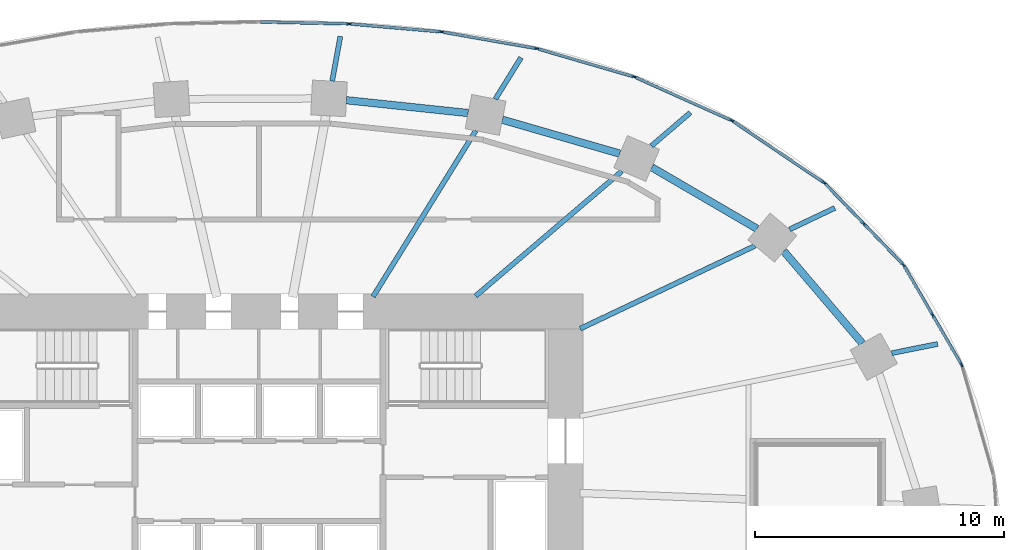
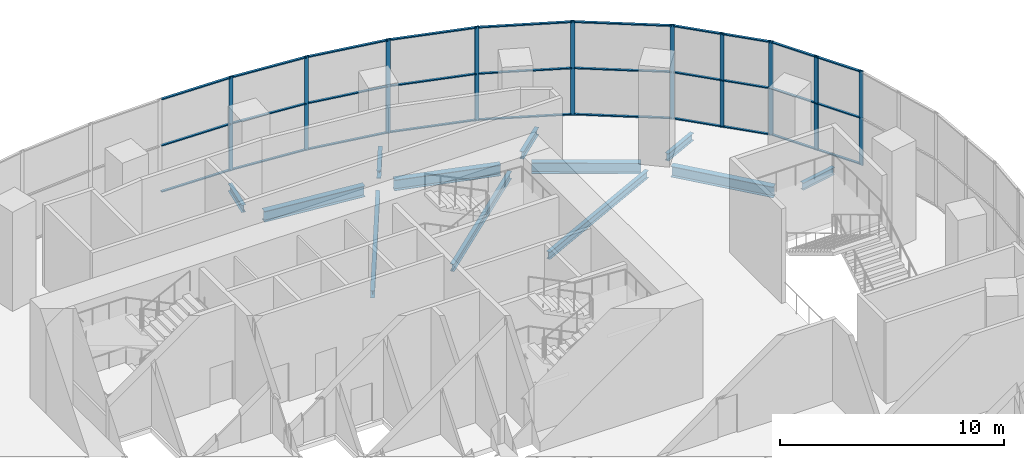
# One storey, part 8 of 20: 40 members, 12 beams, 8 elements without a shape of their own.
"""IFC4 building model written with IfcOpenShell, lengths in metres."""

from ifc_helpers import new_model, si_unit, direction, frame, origin, origin_2d, place, context, subcontext, project, spatial, rectangle, i_section, extrude, material, material_profile, profile_set, type_object, element, aggregate, save


model = new_model("IFC4")

# Units and contexts
model_context = context("Model", 3, precision=1e-05, world=origin(), true_north=direction((0.0, 1.0)))
body_context = subcontext(model_context, "Body", "Model", "MODEL_VIEW")
ifc_project = project(units=[si_unit("LENGTHUNIT", "METRE"), si_unit("AREAUNIT", "SQUARE_METRE"), si_unit("VOLUMEUNIT", "CUBIC_METRE"), si_unit("PLANEANGLEUNIT", "RADIAN"), si_unit("MASSUNIT", "GRAM", prefix="KILO")], contexts=[model_context])

# Site, building, storey
site_placement = place(None, origin())
site = spatial("IfcSite", under=ifc_project, at=site_placement, CompositionType="ELEMENT")
building_placement = place(site_placement, origin())
building = spatial("IfcBuilding", under=site, at=building_placement, Name="Rubra Terraces Tower", CompositionType="ELEMENT")
storey_placement = place(building_placement, frame((0.0, 0.0, 22.800048828125)))
storey = spatial("IfcBuildingStorey", under=building, at=storey_placement, Name="L03", CompositionType="ELEMENT", Elevation=22.800048828125)

# Beams
ifc_material_1 = material(Name="Steel Q355B", Category="steel")
ifc_material_profile_1 = material_profile(ifc_material_1, i_section(OverallWidth=0.199951171875, OverallDepth=0.39990234375, WebThickness=0.008056640625, FlangeThickness=0.012939453125, at=origin_2d()), Name="HN 400x200x8x13")
ifc_profile_set_1 = profile_set([ifc_material_profile_1], Name="Steel Q355B")
beam_type_1 = type_object("IfcBeamType", Name="CANTILEVER BEAM HN 400x200x8x13", PredefinedType="BEAM", material=ifc_profile_set_1)
beam_1_placement = place(storey_placement, frame((25.39599609375, 9.6279296875, -0.449951171875), z_axis=(0.980183746275, 0.198090442822, 0.0), x_axis=(-0.198090442822, 0.980183746275, 0.0)))
element("IfcBeam", 1, at=beam_1_placement, inside=storey, type_object=beam_type_1, Name="beam-L03-cant-02", PredefinedType="BEAM", context=body_context, shape_type="SweptSolid", body=[
    extrude(i_section(OverallWidth=0.199951171875, OverallDepth=0.39990234375, WebThickness=0.008056640625, FlangeThickness=0.012939453125, at=origin_2d()), origin(), (0.0, 0.0, 1.0), 1.878173828125),
])
beam_2_placement = place(storey_placement, frame((21.2958984375, 14.595947265625, -0.449951171875), z_axis=(0.903591368952, 0.428395422426, 0.0), x_axis=(-0.428395422426, 0.903591368952, 0.0)))
element("IfcBeam", 2, at=beam_2_placement, inside=storey, type_object=beam_type_1, Name="beam-L03-cant-03", PredefinedType="BEAM", context=body_context, shape_type="SweptSolid", body=[
    extrude(i_section(OverallWidth=0.199951171875, OverallDepth=0.39990234375, WebThickness=0.008056640625, FlangeThickness=0.012939453125, at=origin_2d()), origin(), (0.0, 0.0, 1.0), 2.003173828125),
])
beam_3_placement = place(storey_placement, frame((15.7509765625, 17.947998046875, -0.449951171875), z_axis=(0.760464221836, 0.649379832847, 0.0), x_axis=(-0.649379832847, 0.760464221836, 0.0)))
element("IfcBeam", 3, at=beam_3_placement, inside=storey, type_object=beam_type_1, Name="beam-L03-cant-04", PredefinedType="BEAM", context=body_context, shape_type="SweptSolid", body=[
    extrude(i_section(OverallWidth=0.199951171875, OverallDepth=0.39990234375, WebThickness=0.008056640625, FlangeThickness=0.012939453125, at=origin_2d()), origin(), (0.0, 0.0, 1.0), 2.052734375),
])
beam_4_placement = place(storey_placement, frame((9.488037109375, 19.827880859375, -0.449951171875), z_axis=(0.526264261804, 0.850321072741, 0.0), x_axis=(-0.850321072741, 0.526264261804, 0.0)))
element("IfcBeam", 4, at=beam_4_placement, inside=storey, type_object=beam_type_1, Name="beam-L03-cant-05", PredefinedType="BEAM", context=body_context, shape_type="SweptSolid", body=[
    extrude(i_section(OverallWidth=0.199951171875, OverallDepth=0.39990234375, WebThickness=0.008056640625, FlangeThickness=0.012939453125, at=origin_2d()), origin(), (0.0, 0.0, 1.0), 1.95361328125),
])
beam_5_placement = place(storey_placement, frame((2.93798828125, 20.549072265625, -0.449951171875), z_axis=(0.180016854408, 0.983663525871, 0.0), x_axis=(-0.983663525871, 0.180016854408, 0.0)))
element("IfcBeam", 5, at=beam_5_placement, inside=storey, type_object=beam_type_1, Name="beam-L03-cant-06", PredefinedType="BEAM", context=body_context, shape_type="SweptSolid", body=[
    extrude(i_section(OverallWidth=0.199951171875, OverallDepth=0.39990234375, WebThickness=0.008056640625, FlangeThickness=0.012939453125, at=origin_2d()), origin(), (0.0, 0.0, 1.0), 1.82275390625),
])
ifc_material_profile_2 = material_profile(ifc_material_1, i_section(OverallWidth=0.199951171875, OverallDepth=0.39990234375, WebThickness=0.008056640625, FlangeThickness=0.012939453125, at=origin_2d()), Name="HN 400x200x8x13")
ifc_profile_set_2 = profile_set([ifc_material_profile_2], Name="Steel Q355B")
beam_type_2 = type_object("IfcBeamType", Name="FLOOR BEAM HN 400x200x8x13", PredefinedType="BEAM", material=ifc_profile_set_2)
beam_6_placement = place(storey_placement, frame((19.904052734375, 13.93603515625, -0.449951171875), z_axis=(-0.903612237836, -0.428351402045, 0.0), x_axis=(0.428351402045, -0.903612237836, 0.0)))
element("IfcBeam", 6, at=beam_6_placement, inside=storey, type_object=beam_type_2, Name="beam-L03-floor-03", PredefinedType="BEAM", context=body_context, shape_type="SweptSolid", body=[
    extrude(i_section(OverallWidth=0.199951171875, OverallDepth=0.39990234375, WebThickness=0.008056640625, FlangeThickness=0.012939453125, at=origin_2d()), origin(), (0.0, 0.0, 1.0), 7.760009765625),
])
beam_7_placement = place(storey_placement, frame((14.56298828125, 16.93408203125, -0.449951171875), z_axis=(-0.760494401061, -0.649344489431, 0.0), x_axis=(0.649344489431, -0.760494401061, 0.0)))
element("IfcBeam", 7, at=beam_7_placement, inside=storey, type_object=beam_type_2, Name="beam-L03-floor-04", PredefinedType="BEAM", context=body_context, shape_type="SweptSolid", body=[
    extrude(i_section(OverallWidth=0.199951171875, OverallDepth=0.39990234375, WebThickness=0.008056640625, FlangeThickness=0.012939453125, at=origin_2d()), origin(), (0.0, 0.0, 1.0), 7.718505859375),
])
beam_8_placement = place(storey_placement, frame((8.699951171875, 18.555908203125, -0.449951171875), z_axis=(-0.526285914839, -0.850307671283, 0.0), x_axis=(0.850307671283, -0.526285914839, 0.0)))
element("IfcBeam", 8, at=beam_8_placement, inside=storey, type_object=beam_type_2, Name="beam-L03-floor-05", PredefinedType="BEAM", context=body_context, shape_type="SweptSolid", body=[
    extrude(i_section(OverallWidth=0.199951171875, OverallDepth=0.39990234375, WebThickness=0.008056640625, FlangeThickness=0.012939453125, at=origin_2d()), origin(), (0.0, 0.0, 1.0), 7.830078125),
])

# Curtain wall, members
ifc_material_2 = material(Name="Aluminium and glass", Category="aluminium")
curtain_wall_type = type_object("IfcCurtainWallType", Name="Curtain wall Podium glazing", PredefinedType="NOTDEFINED", material=ifc_material_2)
curtain_wall_1_placement = place(storey_placement, origin())
curtain_wall_1 = element("IfcCurtainWall", 9, at=curtain_wall_1_placement, inside=storey, type_object=curtain_wall_type, Name="L03 glazing bay 3", PredefinedType="NOTDEFINED")
ifc_material_3 = material(Name="Aluminium, anodised dark grey", Category="aluminium")
ifc_material_profile_3 = material_profile(ifc_material_3, rectangle(XDim=0.06005859375, YDim=0.199951171875, at=origin_2d()), Name="AL 60x200")
ifc_profile_set_3 = profile_set([ifc_material_profile_3], Name="Aluminium, anodised dark grey")
member_type_1 = type_object("IfcMemberType", Name="Podium glazing mullion 60 x 200", PredefinedType="MULLION", material=ifc_profile_set_3)
member_1_placement = place(storey_placement, frame((28.18798828125, 9.17333984375, 0.0), z_axis=(0.0, 0.0, 1.0), x_axis=(-0.864813011398, -0.502094070187, 0.0)))
member_1 = element("IfcMember", 10, at=member_1_placement, type_object=member_type_1, Name="CW1 mullion 1", PredefinedType="MULLION", context=body_context, shape_type="SweptSolid", body=[
    extrude(rectangle(XDim=0.06005859375, YDim=0.199951171875, at=origin_2d()), origin(), (0.0, 0.0, 1.0), 5.14990234375),
])
member_2_placement = place(storey_placement, frame((27.0341796875, 11.160888671875, 0.0), z_axis=(0.0, 0.0, 1.0), x_axis=(-0.864813011398, -0.502094070187, 0.0)))
member_2 = element("IfcMember", 11, at=member_2_placement, type_object=member_type_1, Name="CW1 mullion 2", PredefinedType="MULLION", context=body_context, shape_type="SweptSolid", body=[
    extrude(rectangle(XDim=0.06005859375, YDim=0.199951171875, at=origin_2d()), origin(), (0.0, 0.0, 1.0), 5.14990234375),
])

curtain_wall_2_placement = place(storey_placement, origin())
curtain_wall_2 = element("IfcCurtainWall", 12, at=curtain_wall_2_placement, inside=storey, type_object=curtain_wall_type, Name="L03 glazing bay 4", PredefinedType="NOTDEFINED")
member_3_placement = place(storey_placement, frame((25.855224609375, 13.181396484375, 0.0), z_axis=(0.0, 0.0, 1.0), x_axis=(-0.71982488517, -0.69415569917, 0.0)))
member_3 = element("IfcMember", 13, at=member_3_placement, type_object=member_type_1, Name="CW1 mullion 1", PredefinedType="MULLION", context=body_context, shape_type="SweptSolid", body=[
    extrude(rectangle(XDim=0.06005859375, YDim=0.199951171875, at=origin_2d()), origin(), (0.0, 0.0, 1.0), 5.14990234375),
])
member_4_placement = place(storey_placement, frame((24.280517578125, 14.814453125, 0.0), z_axis=(0.0, 0.0, 1.0), x_axis=(-0.71982488517, -0.69415569917, 0.0)))
member_4 = element("IfcMember", 14, at=member_4_placement, type_object=member_type_1, Name="CW1 mullion 2", PredefinedType="MULLION", context=body_context, shape_type="SweptSolid", body=[
    extrude(rectangle(XDim=0.06005859375, YDim=0.199951171875, at=origin_2d()), origin(), (0.0, 0.0, 1.0), 5.14990234375),
])

# Curtain wall, member
curtain_wall_3_placement = place(storey_placement, origin())
curtain_wall_3 = element("IfcCurtainWall", 15, at=curtain_wall_3_placement, inside=storey, type_object=curtain_wall_type, Name="L03 glazing bay 5", PredefinedType="NOTDEFINED")
member_5_placement = place(storey_placement, frame((22.672119140625, 16.4755859375, 0.0), z_axis=(0.0, 0.0, 1.0), x_axis=(-0.55927727939, -0.828980654031, 0.0)))
member_5 = element("IfcMember", 16, at=member_5_placement, type_object=member_type_1, Name="CW1 mullion 1", PredefinedType="MULLION", context=body_context, shape_type="SweptSolid", body=[
    extrude(rectangle(XDim=0.06005859375, YDim=0.199951171875, at=origin_2d()), origin(), (0.0, 0.0, 1.0), 5.14990234375),
])

curtain_wall_4_placement = place(storey_placement, origin())
curtain_wall_4 = element("IfcCurtainWall", 17, at=curtain_wall_4_placement, inside=storey, type_object=curtain_wall_type, Name="L03 glazing bay 6", PredefinedType="NOTDEFINED")
member_6_placement = place(storey_placement, frame((18.968017578125, 18.969970703125, 0.0), z_axis=(0.0, 0.0, 1.0), x_axis=(-0.4089624427, -0.912551215254, 0.0)))
member_6 = element("IfcMember", 18, at=member_6_placement, type_object=member_type_1, Name="CW1 mullion 1", PredefinedType="MULLION", context=body_context, shape_type="SweptSolid", body=[
    extrude(rectangle(XDim=0.06005859375, YDim=0.199951171875, at=origin_2d()), origin(), (0.0, 0.0, 1.0), 5.14990234375),
])

curtain_wall_5_placement = place(storey_placement, origin())
curtain_wall_5 = element("IfcCurtainWall", 19, at=curtain_wall_5_placement, inside=storey, type_object=curtain_wall_type, Name="L03 glazing bay 7", PredefinedType="NOTDEFINED")
member_7_placement = place(storey_placement, frame((15.05126953125, 20.721435546875, 0.0), z_axis=(0.0, 0.0, 1.0), x_axis=(-0.279399200229, -0.96017502931, 0.0)))
member_7 = element("IfcMember", 20, at=member_7_placement, type_object=member_type_1, Name="CW1 mullion 1", PredefinedType="MULLION", context=body_context, shape_type="SweptSolid", body=[
    extrude(rectangle(XDim=0.06005859375, YDim=0.199951171875, at=origin_2d()), origin(), (0.0, 0.0, 1.0), 5.14990234375),
])

curtain_wall_6_placement = place(storey_placement, origin())
curtain_wall_6 = element("IfcCurtainWall", 21, at=curtain_wall_6_placement, inside=storey, type_object=curtain_wall_type, Name="L03 glazing bay 8", PredefinedType="NOTDEFINED")
member_8_placement = place(storey_placement, frame((11.13037109375, 21.859375, 0.0), z_axis=(0.0, 0.0, 1.0), x_axis=(-0.172816985997, -0.984953952909, 0.0)))
member_8 = element("IfcMember", 22, at=member_8_placement, type_object=member_type_1, Name="CW1 mullion 1", PredefinedType="MULLION", context=body_context, shape_type="SweptSolid", body=[
    extrude(rectangle(XDim=0.06005859375, YDim=0.199951171875, at=origin_2d()), origin(), (0.0, 0.0, 1.0), 5.14990234375),
])

curtain_wall_7_placement = place(storey_placement, origin())
curtain_wall_7 = element("IfcCurtainWall", 23, at=curtain_wall_7_placement, inside=storey, type_object=curtain_wall_type, Name="L03 glazing bay 9", PredefinedType="NOTDEFINED")
member_9_placement = place(storey_placement, frame((7.306640625, 22.52783203125, 0.0), z_axis=(0.0, 0.0, 1.0), x_axis=(-0.08639804595, -0.996260697637, 0.0)))
member_9 = element("IfcMember", 24, at=member_9_placement, type_object=member_type_1, Name="CW1 mullion 1", PredefinedType="MULLION", context=body_context, shape_type="SweptSolid", body=[
    extrude(rectangle(XDim=0.06005859375, YDim=0.199951171875, at=origin_2d()), origin(), (0.0, 0.0, 1.0), 5.14990234375),
])

curtain_wall_8_placement = place(storey_placement, origin())
curtain_wall_8 = element("IfcCurtainWall", 25, at=curtain_wall_8_placement, inside=storey, type_object=curtain_wall_type, Name="L03 glazing bay 10", PredefinedType="NOTDEFINED")
member_10_placement = place(storey_placement, frame((3.598388671875, 22.84765625, 0.0), z_axis=(0.0, 0.0, 1.0), x_axis=(-0.021482644428, -0.999769221365, 0.0)))
member_10 = element("IfcMember", 26, at=member_10_placement, type_object=member_type_1, Name="CW1 mullion 1", PredefinedType="MULLION", context=body_context, shape_type="SweptSolid", body=[
    extrude(rectangle(XDim=0.06005859375, YDim=0.199951171875, at=origin_2d()), origin(), (0.0, 0.0, 1.0), 5.14990234375),
])

# Member
ifc_material_profile_4 = material_profile(ifc_material_3, rectangle(XDim=0.1201171875, YDim=0.06005859375, at=origin_2d()), Name="AL 120x60")
ifc_profile_set_4 = profile_set([ifc_material_profile_4], Name="Aluminium, anodised dark grey")
member_type_2 = type_object("IfcMemberType", Name="Podium glazing transom 120 x 60", PredefinedType="USERDEFINED", material=ifc_profile_set_4)
member_11_placement = place(storey_placement, frame((28.173095703125, 9.19921875, 0.06005859375), z_axis=(-0.5021881448, 0.864758386616, 0.0), x_axis=(-0.864758386616, -0.5021881448, 0.0)))
member_11 = element("IfcMember", 27, at=member_11_placement, type_object=member_type_2, Name="CW1 transom 1.1", ObjectType="TRANSOM", PredefinedType="USERDEFINED", context=body_context, shape_type="SweptSolid", body=[
    extrude(rectangle(XDim=0.1201171875, YDim=0.06005859375, at=origin_2d()), origin(), (0.0, 0.0, 1.0), 2.23828125),
])

member_12_placement = place(storey_placement, frame((28.173095703125, 9.19921875, 2.574951171875), z_axis=(-0.5021881448, 0.864758386616, 0.0), x_axis=(-0.864758386616, -0.5021881448, 0.0)))
member_12 = element("IfcMember", 28, at=member_12_placement, type_object=member_type_2, Name="CW1 transom 1.2", ObjectType="TRANSOM", PredefinedType="USERDEFINED", context=body_context, shape_type="SweptSolid", body=[
    extrude(rectangle(XDim=0.1201171875, YDim=0.06005859375, at=origin_2d()), origin(), (0.0, 0.0, 1.0), 2.23828125),
])

member_13_placement = place(storey_placement, frame((28.173095703125, 9.19921875, 5.08984375), z_axis=(-0.5021881448, 0.864758386616, 0.0), x_axis=(-0.864758386616, -0.5021881448, 0.0)))
member_13 = element("IfcMember", 29, at=member_13_placement, type_object=member_type_2, Name="CW1 transom 1.3", ObjectType="TRANSOM", PredefinedType="USERDEFINED", context=body_context, shape_type="SweptSolid", body=[
    extrude(rectangle(XDim=0.1201171875, YDim=0.06005859375, at=origin_2d()), origin(), (0.0, 0.0, 1.0), 2.23828125),
])

member_14_placement = place(storey_placement, frame((27.01904296875, 11.186767578125, 0.06005859375), z_axis=(-0.502106569931, 0.864805754162, 0.0), x_axis=(-0.864805754162, -0.502106569931, 0.0)))
member_14 = element("IfcMember", 30, at=member_14_placement, type_object=member_type_2, Name="CW1 transom 2.1", ObjectType="TRANSOM", PredefinedType="USERDEFINED", context=body_context, shape_type="SweptSolid", body=[
    extrude(rectangle(XDim=0.1201171875, YDim=0.06005859375, at=origin_2d()), origin(), (0.0, 0.0, 1.0), 2.238037109375),
])

member_15_placement = place(storey_placement, frame((27.01904296875, 11.186767578125, 2.574951171875), z_axis=(-0.502106569931, 0.864805754162, 0.0), x_axis=(-0.864805754162, -0.502106569931, 0.0)))
member_15 = element("IfcMember", 31, at=member_15_placement, type_object=member_type_2, Name="CW1 transom 2.2", ObjectType="TRANSOM", PredefinedType="USERDEFINED", context=body_context, shape_type="SweptSolid", body=[
    extrude(rectangle(XDim=0.1201171875, YDim=0.06005859375, at=origin_2d()), origin(), (0.0, 0.0, 1.0), 2.238037109375),
])

member_16_placement = place(storey_placement, frame((27.01904296875, 11.186767578125, 5.08984375), z_axis=(-0.502106569931, 0.864805754162, 0.0), x_axis=(-0.864805754162, -0.502106569931, 0.0)))
member_16 = element("IfcMember", 32, at=member_16_placement, type_object=member_type_2, Name="CW1 transom 2.3", ObjectType="TRANSOM", PredefinedType="USERDEFINED", context=body_context, shape_type="SweptSolid", body=[
    extrude(rectangle(XDim=0.1201171875, YDim=0.06005859375, at=origin_2d()), origin(), (0.0, 0.0, 1.0), 2.238037109375),
])

aggregate(curtain_wall_1, [member_1, member_2, member_11, member_12, member_13, member_14, member_15, member_16])

member_17_placement = place(storey_placement, frame((25.83447265625, 13.203125, 0.06005859375), z_axis=(-0.694223533913, 0.719759463266, 0.0), x_axis=(-0.719759463266, -0.694223533913, 0.0)))
member_17 = element("IfcMember", 33, at=member_17_placement, type_object=member_type_2, Name="CW1 transom 1.1", ObjectType="TRANSOM", PredefinedType="USERDEFINED", context=body_context, shape_type="SweptSolid", body=[
    extrude(rectangle(XDim=0.1201171875, YDim=0.06005859375, at=origin_2d()), origin(), (0.0, 0.0, 1.0), 2.20849609375),
])

member_18_placement = place(storey_placement, frame((25.83447265625, 13.203125, 2.574951171875), z_axis=(-0.694223533913, 0.719759463266, 0.0), x_axis=(-0.719759463266, -0.694223533913, 0.0)))
member_18 = element("IfcMember", 34, at=member_18_placement, type_object=member_type_2, Name="CW1 transom 1.2", ObjectType="TRANSOM", PredefinedType="USERDEFINED", context=body_context, shape_type="SweptSolid", body=[
    extrude(rectangle(XDim=0.1201171875, YDim=0.06005859375, at=origin_2d()), origin(), (0.0, 0.0, 1.0), 2.20849609375),
])

member_19_placement = place(storey_placement, frame((25.83447265625, 13.203125, 5.08984375), z_axis=(-0.694223533913, 0.719759463266, 0.0), x_axis=(-0.719759463266, -0.694223533913, 0.0)))
member_19 = element("IfcMember", 35, at=member_19_placement, type_object=member_type_2, Name="CW1 transom 1.3", ObjectType="TRANSOM", PredefinedType="USERDEFINED", context=body_context, shape_type="SweptSolid", body=[
    extrude(rectangle(XDim=0.1201171875, YDim=0.06005859375, at=origin_2d()), origin(), (0.0, 0.0, 1.0), 2.20849609375),
])

member_20_placement = place(storey_placement, frame((24.259765625, 14.8359375, 0.06005859375), z_axis=(-0.694168299732, 0.719812733735, 0.0), x_axis=(-0.719812733735, -0.694168299732, 0.0)))
member_20 = element("IfcMember", 36, at=member_20_placement, type_object=member_type_2, Name="CW1 transom 2.1", ObjectType="TRANSOM", PredefinedType="USERDEFINED", context=body_context, shape_type="SweptSolid", body=[
    extrude(rectangle(XDim=0.1201171875, YDim=0.06005859375, at=origin_2d()), origin(), (0.0, 0.0, 1.0), 2.208740234375),
])

member_21_placement = place(storey_placement, frame((24.259765625, 14.8359375, 2.574951171875), z_axis=(-0.694168299732, 0.719812733735, 0.0), x_axis=(-0.719812733735, -0.694168299732, 0.0)))
member_21 = element("IfcMember", 37, at=member_21_placement, type_object=member_type_2, Name="CW1 transom 2.2", ObjectType="TRANSOM", PredefinedType="USERDEFINED", context=body_context, shape_type="SweptSolid", body=[
    extrude(rectangle(XDim=0.1201171875, YDim=0.06005859375, at=origin_2d()), origin(), (0.0, 0.0, 1.0), 2.208740234375),
])

member_22_placement = place(storey_placement, frame((24.259765625, 14.8359375, 5.08984375), z_axis=(-0.694168299732, 0.719812733735, 0.0), x_axis=(-0.719812733735, -0.694168299732, 0.0)))
member_22 = element("IfcMember", 38, at=member_22_placement, type_object=member_type_2, Name="CW1 transom 2.3", ObjectType="TRANSOM", PredefinedType="USERDEFINED", context=body_context, shape_type="SweptSolid", body=[
    extrude(rectangle(XDim=0.1201171875, YDim=0.06005859375, at=origin_2d()), origin(), (0.0, 0.0, 1.0), 2.208740234375),
])

aggregate(curtain_wall_2, [member_3, member_4, member_17, member_18, member_19, member_20, member_21, member_22])

member_23_placement = place(storey_placement, frame((22.6474609375, 16.492431640625, 0.06005859375), z_axis=(-0.828996039897, 0.559254473236, 0.0), x_axis=(-0.559254473236, -0.828996039897, 0.0)))
member_23 = element("IfcMember", 39, at=member_23_placement, type_object=member_type_2, Name="CW1 transom 1.1", ObjectType="TRANSOM", PredefinedType="USERDEFINED", context=body_context, shape_type="SweptSolid", body=[
    extrude(rectangle(XDim=0.1201171875, YDim=0.06005859375, at=origin_2d()), origin(), (0.0, 0.0, 1.0), 4.35888671875),
])

member_24_placement = place(storey_placement, frame((22.6474609375, 16.492431640625, 2.574951171875), z_axis=(-0.828996039897, 0.559254473236, 0.0), x_axis=(-0.559254473236, -0.828996039897, 0.0)))
member_24 = element("IfcMember", 40, at=member_24_placement, type_object=member_type_2, Name="CW1 transom 1.2", ObjectType="TRANSOM", PredefinedType="USERDEFINED", context=body_context, shape_type="SweptSolid", body=[
    extrude(rectangle(XDim=0.1201171875, YDim=0.06005859375, at=origin_2d()), origin(), (0.0, 0.0, 1.0), 4.35888671875),
])

member_25_placement = place(storey_placement, frame((22.6474609375, 16.492431640625, 5.08984375), z_axis=(-0.828996039897, 0.559254473236, 0.0), x_axis=(-0.559254473236, -0.828996039897, 0.0)))
member_25 = element("IfcMember", 41, at=member_25_placement, type_object=member_type_2, Name="CW1 transom 1.3", ObjectType="TRANSOM", PredefinedType="USERDEFINED", context=body_context, shape_type="SweptSolid", body=[
    extrude(rectangle(XDim=0.1201171875, YDim=0.06005859375, at=origin_2d()), origin(), (0.0, 0.0, 1.0), 4.35888671875),
])

aggregate(curtain_wall_3, [member_5, member_23, member_24, member_25])

member_26_placement = place(storey_placement, frame((18.9404296875, 18.982177734375, 0.06005859375), z_axis=(-0.912545396627, 0.408975426029, 0.0), x_axis=(-0.408975426029, -0.912545396627, 0.0)))
member_26 = element("IfcMember", 42, at=member_26_placement, type_object=member_type_2, Name="CW1 transom 1.1", ObjectType="TRANSOM", PredefinedType="USERDEFINED", context=body_context, shape_type="SweptSolid", body=[
    extrude(rectangle(XDim=0.1201171875, YDim=0.06005859375, at=origin_2d()), origin(), (0.0, 0.0, 1.0), 4.18115234375),
])

member_27_placement = place(storey_placement, frame((18.9404296875, 18.982177734375, 2.574951171875), z_axis=(-0.912545396627, 0.408975426029, 0.0), x_axis=(-0.408975426029, -0.912545396627, 0.0)))
member_27 = element("IfcMember", 43, at=member_27_placement, type_object=member_type_2, Name="CW1 transom 1.2", ObjectType="TRANSOM", PredefinedType="USERDEFINED", context=body_context, shape_type="SweptSolid", body=[
    extrude(rectangle(XDim=0.1201171875, YDim=0.06005859375, at=origin_2d()), origin(), (0.0, 0.0, 1.0), 4.18115234375),
])

member_28_placement = place(storey_placement, frame((18.9404296875, 18.982177734375, 5.08984375), z_axis=(-0.912545396627, 0.408975426029, 0.0), x_axis=(-0.408975426029, -0.912545396627, 0.0)))
member_28 = element("IfcMember", 44, at=member_28_placement, type_object=member_type_2, Name="CW1 transom 1.3", ObjectType="TRANSOM", PredefinedType="USERDEFINED", context=body_context, shape_type="SweptSolid", body=[
    extrude(rectangle(XDim=0.1201171875, YDim=0.06005859375, at=origin_2d()), origin(), (0.0, 0.0, 1.0), 4.18115234375),
])

aggregate(curtain_wall_4, [member_6, member_26, member_27, member_28])

member_29_placement = place(storey_placement, frame((15.0224609375, 20.729736328125, 0.06005859375), z_axis=(-0.960164409194, 0.279435694422, 0.0), x_axis=(-0.279435694422, -0.960164409194, 0.0)))
member_29 = element("IfcMember", 45, at=member_29_placement, type_object=member_type_2, Name="CW1 transom 1.1", ObjectType="TRANSOM", PredefinedType="USERDEFINED", context=body_context, shape_type="SweptSolid", body=[
    extrude(rectangle(XDim=0.1201171875, YDim=0.06005859375, at=origin_2d()), origin(), (0.0, 0.0, 1.0), 3.970947265625),
])

member_30_placement = place(storey_placement, frame((15.0224609375, 20.729736328125, 2.574951171875), z_axis=(-0.960164409194, 0.279435694422, 0.0), x_axis=(-0.279435694422, -0.960164409194, 0.0)))
member_30 = element("IfcMember", 46, at=member_30_placement, type_object=member_type_2, Name="CW1 transom 1.2", ObjectType="TRANSOM", PredefinedType="USERDEFINED", context=body_context, shape_type="SweptSolid", body=[
    extrude(rectangle(XDim=0.1201171875, YDim=0.06005859375, at=origin_2d()), origin(), (0.0, 0.0, 1.0), 3.970947265625),
])

member_31_placement = place(storey_placement, frame((15.0224609375, 20.729736328125, 5.08984375), z_axis=(-0.960164409194, 0.279435694422, 0.0), x_axis=(-0.279435694422, -0.960164409194, 0.0)))
member_31 = element("IfcMember", 47, at=member_31_placement, type_object=member_type_2, Name="CW1 transom 1.3", ObjectType="TRANSOM", PredefinedType="USERDEFINED", context=body_context, shape_type="SweptSolid", body=[
    extrude(rectangle(XDim=0.1201171875, YDim=0.06005859375, at=origin_2d()), origin(), (0.0, 0.0, 1.0), 3.970947265625),
])

aggregate(curtain_wall_5, [member_7, member_29, member_30, member_31])

member_32_placement = place(storey_placement, frame((11.100830078125, 21.864501953125, 0.06005859375), z_axis=(-0.984959152546, 0.172787348539, 0.0), x_axis=(-0.172787348539, -0.984959152546, 0.0)))
member_32 = element("IfcMember", 48, at=member_32_placement, type_object=member_type_2, Name="CW1 transom 1.1", ObjectType="TRANSOM", PredefinedType="USERDEFINED", context=body_context, shape_type="SweptSolid", body=[
    extrude(rectangle(XDim=0.1201171875, YDim=0.06005859375, at=origin_2d()), origin(), (0.0, 0.0, 1.0), 3.768310546875),
])

member_33_placement = place(storey_placement, frame((11.100830078125, 21.864501953125, 2.574951171875), z_axis=(-0.984959152546, 0.172787348539, 0.0), x_axis=(-0.172787348539, -0.984959152546, 0.0)))
member_33 = element("IfcMember", 49, at=member_33_placement, type_object=member_type_2, Name="CW1 transom 1.2", ObjectType="TRANSOM", PredefinedType="USERDEFINED", context=body_context, shape_type="SweptSolid", body=[
    extrude(rectangle(XDim=0.1201171875, YDim=0.06005859375, at=origin_2d()), origin(), (0.0, 0.0, 1.0), 3.768310546875),
])

member_34_placement = place(storey_placement, frame((11.100830078125, 21.864501953125, 5.08984375), z_axis=(-0.984959152546, 0.172787348539, 0.0), x_axis=(-0.172787348539, -0.984959152546, 0.0)))
member_34 = element("IfcMember", 50, at=member_34_placement, type_object=member_type_2, Name="CW1 transom 1.3", ObjectType="TRANSOM", PredefinedType="USERDEFINED", context=body_context, shape_type="SweptSolid", body=[
    extrude(rectangle(XDim=0.1201171875, YDim=0.06005859375, at=origin_2d()), origin(), (0.0, 0.0, 1.0), 3.768310546875),
])

aggregate(curtain_wall_6, [member_8, member_32, member_33, member_34])

member_35_placement = place(storey_placement, frame((7.276611328125, 22.530517578125, 0.06005859375), z_axis=(-0.996262906738, 0.086372568895, 0.0), x_axis=(-0.086372568895, -0.996262906738, 0.0)))
member_35 = element("IfcMember", 51, at=member_35_placement, type_object=member_type_2, Name="CW1 transom 1.1", ObjectType="TRANSOM", PredefinedType="USERDEFINED", context=body_context, shape_type="SweptSolid", body=[
    extrude(rectangle(XDim=0.1201171875, YDim=0.06005859375, at=origin_2d()), origin(), (0.0, 0.0, 1.0), 3.606689453125),
])

member_36_placement = place(storey_placement, frame((7.276611328125, 22.530517578125, 2.574951171875), z_axis=(-0.996262906738, 0.086372568895, 0.0), x_axis=(-0.086372568895, -0.996262906738, 0.0)))
member_36 = element("IfcMember", 52, at=member_36_placement, type_object=member_type_2, Name="CW1 transom 1.2", ObjectType="TRANSOM", PredefinedType="USERDEFINED", context=body_context, shape_type="SweptSolid", body=[
    extrude(rectangle(XDim=0.1201171875, YDim=0.06005859375, at=origin_2d()), origin(), (0.0, 0.0, 1.0), 3.606689453125),
])

member_37_placement = place(storey_placement, frame((7.276611328125, 22.530517578125, 5.08984375), z_axis=(-0.996262906738, 0.086372568895, 0.0), x_axis=(-0.086372568895, -0.996262906738, 0.0)))
member_37 = element("IfcMember", 53, at=member_37_placement, type_object=member_type_2, Name="CW1 transom 1.3", ObjectType="TRANSOM", PredefinedType="USERDEFINED", context=body_context, shape_type="SweptSolid", body=[
    extrude(rectangle(XDim=0.1201171875, YDim=0.06005859375, at=origin_2d()), origin(), (0.0, 0.0, 1.0), 3.606689453125),
])

aggregate(curtain_wall_7, [member_9, member_35, member_36, member_37])

member_38_placement = place(storey_placement, frame((3.568359375, 22.848388671875, 0.06005859375), z_axis=(-0.99976911273, 0.021487699509, 0.0), x_axis=(-0.021487699509, -0.99976911273, 0.0)))
member_38 = element("IfcMember", 54, at=member_38_placement, type_object=member_type_2, Name="CW1 transom 1.1", ObjectType="TRANSOM", PredefinedType="USERDEFINED", context=body_context, shape_type="SweptSolid", body=[
    extrude(rectangle(XDim=0.1201171875, YDim=0.06005859375, at=origin_2d()), origin(), (0.0, 0.0, 1.0), 3.5107421875),
])

member_39_placement = place(storey_placement, frame((3.568359375, 22.848388671875, 2.574951171875), z_axis=(-0.99976911273, 0.021487699509, 0.0), x_axis=(-0.021487699509, -0.99976911273, 0.0)))
member_39 = element("IfcMember", 55, at=member_39_placement, type_object=member_type_2, Name="CW1 transom 1.2", ObjectType="TRANSOM", PredefinedType="USERDEFINED", context=body_context, shape_type="SweptSolid", body=[
    extrude(rectangle(XDim=0.1201171875, YDim=0.06005859375, at=origin_2d()), origin(), (0.0, 0.0, 1.0), 3.5107421875),
])

member_40_placement = place(storey_placement, frame((3.568359375, 22.848388671875, 5.08984375), z_axis=(-0.99976911273, 0.021487699509, 0.0), x_axis=(-0.021487699509, -0.99976911273, 0.0)))
member_40 = element("IfcMember", 56, at=member_40_placement, type_object=member_type_2, Name="CW1 transom 1.3", ObjectType="TRANSOM", PredefinedType="USERDEFINED", context=body_context, shape_type="SweptSolid", body=[
    extrude(rectangle(XDim=0.1201171875, YDim=0.06005859375, at=origin_2d()), origin(), (0.0, 0.0, 1.0), 3.5107421875),
])

aggregate(curtain_wall_8, [member_10, member_38, member_39, member_40])

# Beams
ifc_material_profile_5 = material_profile(ifc_material_1, i_section(OverallWidth=0.300048828125, OverallDepth=0.587890625, WebThickness=0.011962890625, FlangeThickness=0.02001953125, at=origin_2d()), Name="HM 588x300x12x20")
ifc_profile_set_5 = profile_set([ifc_material_profile_5], Name="Steel Q355B")
beam_type_3 = type_object("IfcBeamType", Name="SPANDREL BEAM HM 588x300x12x20", PredefinedType="SPANDREL", material=ifc_profile_set_5)
beam_9_placement = place(storey_placement, frame((24.212890625, 10.02587890625, -0.5439453125), z_axis=(-0.648447050824, 0.761259760054, 0.0), x_axis=(-0.761259760054, -0.648447050824, 0.0)))
element("IfcBeam", 57, at=beam_9_placement, inside=storey, type_object=beam_type_3, Name="beam-L03-spandrel-02", PredefinedType="SPANDREL", context=body_context, shape_type="SweptSolid", body=[
    extrude(i_section(OverallWidth=0.300048828125, OverallDepth=0.587890625, WebThickness=0.011962890625, FlangeThickness=0.02001953125, at=origin_2d()), origin(), (0.0, 0.0, 1.0), 4.860595703125),
])
beam_10_placement = place(storey_placement, frame((19.987060546875, 14.6240234375, -0.5439453125), z_axis=(-0.863806081452, 0.503824427402, 0.0), x_axis=(-0.503824427402, -0.863806081452, 0.0)))
element("IfcBeam", 58, at=beam_10_placement, inside=storey, type_object=beam_type_3, Name="beam-L03-spandrel-03", PredefinedType="SPANDREL", context=body_context, shape_type="SweptSolid", body=[
    extrude(i_section(OverallWidth=0.300048828125, OverallDepth=0.587890625, WebThickness=0.011962890625, FlangeThickness=0.02001953125, at=origin_2d()), origin(), (0.0, 0.0, 1.0), 4.886474609375),
])
beam_11_placement = place(storey_placement, frame((14.47900390625, 17.636962890625, -0.5439453125), z_axis=(-0.960743980202, 0.277436487337, 0.0), x_axis=(-0.277436487337, -0.960743980202, 0.0)))
element("IfcBeam", 59, at=beam_11_placement, inside=storey, type_object=beam_type_3, Name="beam-L03-spandrel-04", PredefinedType="SPANDREL", context=body_context, shape_type="SweptSolid", body=[
    extrude(i_section(OverallWidth=0.300048828125, OverallDepth=0.587890625, WebThickness=0.011962890625, FlangeThickness=0.02001953125, at=origin_2d()), origin(), (0.0, 0.0, 1.0), 4.90234375),
])
beam_12_placement = place(storey_placement, frame((8.39501953125, 19.26611328125, -0.5439453125), z_axis=(-0.994495375694, 0.104780473964, 0.0), x_axis=(-0.104780473964, -0.994495375694, 0.0)))
element("IfcBeam", 60, at=beam_12_placement, inside=storey, type_object=beam_type_3, Name="beam-L03-spandrel-05", PredefinedType="SPANDREL", context=body_context, shape_type="SweptSolid", body=[
    extrude(i_section(OverallWidth=0.300048828125, OverallDepth=0.587890625, WebThickness=0.011962890625, FlangeThickness=0.02001953125, at=origin_2d()), origin(), (0.0, 0.0, 1.0), 4.9140625),
])

save(model, "model.ifc")
